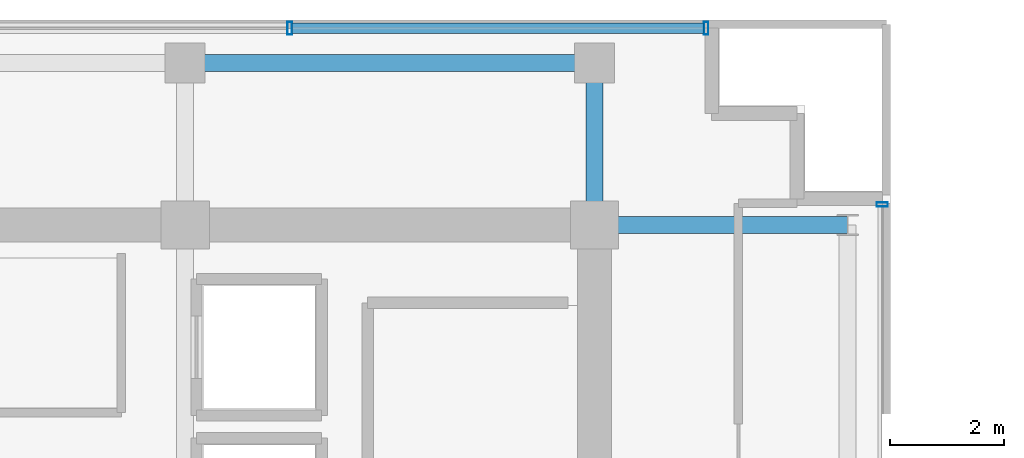
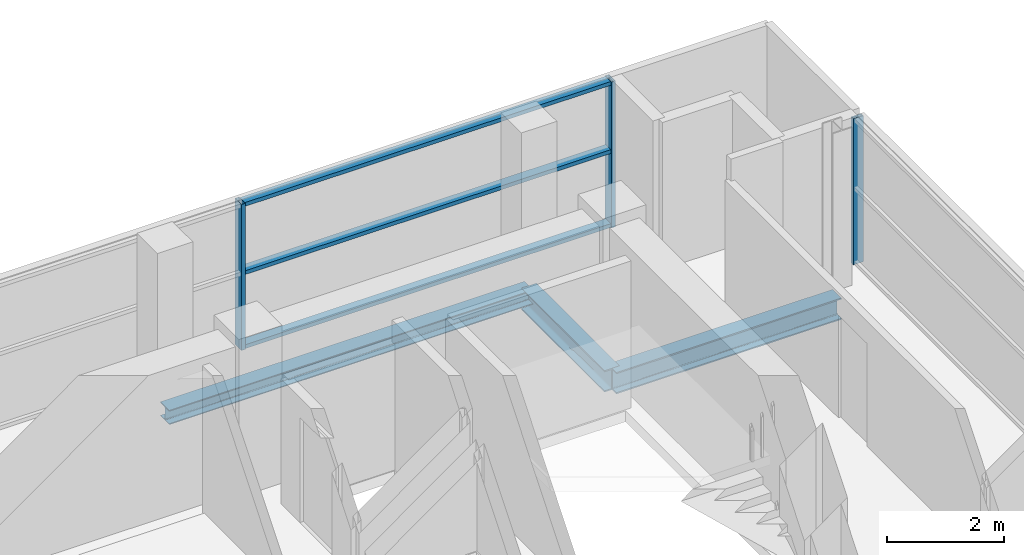
# One storey, part 14 of 23: 6 members, 3 beams, 2 elements without a shape of their own.
"""IFC4 building model written with IfcOpenShell, lengths in metres."""

from ifc_helpers import new_model, si_unit, direction, frame, origin, origin_2d, place, context, subcontext, project, spatial, hollow_rectangle, i_section, extrude, source, transform, mapped, material, layer, layer_set, material_profile, profile_set, type_object, element, aggregate, save


model = new_model("IFC4")

# Units and contexts
model_context = context("Model", 3, precision=1e-05, world=origin(), true_north=direction((0.0, 1.0)))
body_context = subcontext(model_context, "Body", "Model", "MODEL_VIEW")
ifc_project = project(units=[si_unit("LENGTHUNIT", "METRE"), si_unit("AREAUNIT", "SQUARE_METRE"), si_unit("VOLUMEUNIT", "CUBIC_METRE"), si_unit("PLANEANGLEUNIT", "RADIAN"), si_unit("MASSUNIT", "GRAM", prefix="KILO")], contexts=[model_context])

# Site, building, storey
site_placement = place(None, origin())
site = spatial("IfcSite", under=ifc_project, at=site_placement, CompositionType="ELEMENT")
building_placement = place(site_placement, origin())
building = spatial("IfcBuilding", under=site, at=building_placement, Name="Zarnakvel Exchange Tower", CompositionType="ELEMENT")
storey_placement = place(building_placement, frame((0.0, 0.0, 218.800048828125)))
storey = spatial("IfcBuildingStorey", under=building, at=storey_placement, Name="L61", CompositionType="ELEMENT", Elevation=218.800048828125)

# Beams
ifc_material_1 = material(Name="Steel S355", Category="steel")
ifc_material_profile_1 = material_profile(ifc_material_1, i_section(OverallWidth=0.300048828125, OverallDepth=0.449951171875, WebThickness=0.013916015625, FlangeThickness=0.02587890625, FilletRadius=0.027099609375, at=origin_2d()))
ifc_profile_set_1 = profile_set([ifc_material_profile_1], Name="Steel S355")
beam_type_1 = type_object("IfcBeamType", Name="G-07", PredefinedType="BEAM", material=ifc_profile_set_1)
beam_1_placement = place(storey_placement, frame((14.39990234375, 13.5, -0.449951171875), z_axis=(1.0, 0.0, 0.0), x_axis=(0.0, 1.0, 0.0)))
element("IfcBeam", 1, at=beam_1_placement, inside=storey, type_object=beam_type_1, Name="L61 Tower E-W Frame Beam", PredefinedType="BEAM", context=body_context, shape_type="SweptSolid", body=[
    extrude(i_section(OverallWidth=0.300048828125, OverallDepth=0.449951171875, WebThickness=0.013916015625, FlangeThickness=0.02587890625, FilletRadius=0.027099609375, at=origin_2d()), origin(), (0.0, 0.0, 1.0), 4.4501953125),
])
beam_2_placement = place(storey_placement, frame((14.39990234375, 13.5, -0.449951171875), z_axis=(0.0, 1.0, 0.0), x_axis=(-1.0, 0.0, 0.0)))
element("IfcBeam", 2, at=beam_2_placement, inside=storey, type_object=beam_type_1, Name="L61 Tower N-S Frame Beam", PredefinedType="BEAM", context=body_context, shape_type="SweptSolid", body=[
    extrude(i_section(OverallWidth=0.300048828125, OverallDepth=0.449951171875, WebThickness=0.013916015625, FlangeThickness=0.02587890625, FilletRadius=0.027099609375, at=origin_2d()), origin(), (0.0, 0.0, 1.0), 2.85009765625),
])
ifc_material_profile_2 = material_profile(ifc_material_1, i_section(OverallWidth=0.300048828125, OverallDepth=0.300048828125, WebThickness=0.010986328125, FlangeThickness=0.01904296875, FilletRadius=0.027099609375, at=origin_2d()))
ifc_profile_set_2 = profile_set([ifc_material_profile_2], Name="Steel S355")
beam_type_2 = type_object("IfcBeamType", Name="SP-03", PredefinedType="SPANDREL", material=ifc_profile_set_2)
beam_3_placement = place(storey_placement, frame((7.199951171875, 16.35009765625, -0.375), z_axis=(1.0, 0.0, 0.0), x_axis=(0.0, 1.0, 0.0)))
element("IfcBeam", 3, at=beam_3_placement, inside=storey, type_object=beam_type_2, Name="L61 Tower E-W Frame Beam", PredefinedType="SPANDREL", context=body_context, shape_type="SweptSolid", body=[
    extrude(i_section(OverallWidth=0.300048828125, OverallDepth=0.300048828125, WebThickness=0.010986328125, FlangeThickness=0.01904296875, FilletRadius=0.027099609375, at=origin_2d()), origin(), (0.0, 0.0, 1.0), 7.199951171875),
])

# Curtain wall, member
ifc_material_2 = material(Name="Architectural Bronze Anodised Aluminium", Category="aluminium")
ifc_layer_1 = layer(ifc_material_2, 0.199951171875)
ifc_layer_set_1 = layer_set([ifc_layer_1], Name="Architectural Bronze Anodised Aluminium")
curtain_wall_type_1 = type_object("IfcCurtainWallType", Name="CW-04", PredefinedType="NOTDEFINED", material=ifc_layer_set_1)
curtain_wall_1_placement = place(storey_placement, origin())
curtain_wall_1 = element("IfcCurtainWall", 4, at=curtain_wall_1_placement, inside=storey, type_object=curtain_wall_type_1, Name="L61 Curtain Wall CW-L61-EN (CW-04)", PredefinedType="NOTDEFINED")
ifc_material_profile_3 = material_profile(ifc_material_2, hollow_rectangle(XDim=0.199951171875, YDim=0.074951171875, WallThickness=0.0048828125, at=origin_2d()))
ifc_profile_set_3 = profile_set([ifc_material_profile_3], Name="Architectural Bronze Anodised Aluminium")
member_type_1 = type_object("IfcMemberType", Name="CWM-04", PredefinedType="MULLION", material=ifc_profile_set_3)
shared_shape_1 = source(origin(), body_context, "Body", "SweptSolid", [
    extrude(hollow_rectangle(XDim=0.199951171875, YDim=0.074951171875, WallThickness=0.0048828125, at=origin_2d()), origin(), (0.0, 0.0, 1.0), 3.054931640625),
])
member_1_placement = place(storey_placement, frame((19.4599609375, 13.862548828125, 0.0), z_axis=(0.0, 0.0, 1.0), x_axis=(-1.0, 0.0, 0.0)))
member_1 = element("IfcMember", 5, at=member_1_placement, type_object=member_type_1, Name="CW-04 mullion 3", PredefinedType="MULLION", context=body_context, shape_type="MappedRepresentation", body=[
    mapped(shared_shape_1, transform((0.0, 0.0, 0.0), x_axis=(1.0, 0.0, 0.0), y_axis=(0.0, 1.0, 0.0), z_axis=(0.0, 0.0, 1.0), scale=1.0)),
])
aggregate(curtain_wall_1, [member_1])

# Curtain wall, members
ifc_layer_2 = layer(ifc_material_2, 0.219970703125)
ifc_layer_set_2 = layer_set([ifc_layer_2], Name="Architectural Bronze Anodised Aluminium")
curtain_wall_type_2 = type_object("IfcCurtainWallType", Name="CW-03", PredefinedType="NOTDEFINED", material=ifc_layer_set_2)
curtain_wall_2_placement = place(storey_placement, origin())
curtain_wall_2 = element("IfcCurtainWall", 6, at=curtain_wall_2_placement, inside=storey, type_object=curtain_wall_type_2, Name="L61 Curtain Wall CW-L61-N1 (CW-03)", PredefinedType="NOTDEFINED")
ifc_material_profile_4 = material_profile(ifc_material_2, hollow_rectangle(XDim=0.219970703125, YDim=0.080078125, WallThickness=0.0048828125, at=origin_2d()))
ifc_profile_set_4 = profile_set([ifc_material_profile_4], Name="Architectural Bronze Anodised Aluminium")
member_type_2 = type_object("IfcMemberType", Name="CWM-03", PredefinedType="MULLION", material=ifc_profile_set_4)
shared_shape_2 = source(origin(), body_context, "Body", "SweptSolid", [
    extrude(hollow_rectangle(XDim=0.219970703125, YDim=0.080078125, WallThickness=0.0048828125, at=origin_2d()), origin(), (0.0, 0.0, 1.0), 3.054931640625),
])
member_2_placement = place(storey_placement, frame((9.0400390625, 16.9599609375, 0.0), z_axis=(0.0, 0.0, 1.0), x_axis=(0.0, 1.0, 0.0)))
member_2 = element("IfcMember", 7, at=member_2_placement, type_object=member_type_2, Name="CW-03 mullion 5", PredefinedType="MULLION", context=body_context, shape_type="MappedRepresentation", body=[
    mapped(shared_shape_2, transform((0.0, 0.0, 0.0), x_axis=(1.0, 0.0, 0.0), y_axis=(0.0, 1.0, 0.0), z_axis=(0.0, 0.0, 1.0), scale=1.0)),
])
member_3_placement = place(storey_placement, frame((16.360107421875, 16.9599609375, 0.0), z_axis=(0.0, 0.0, 1.0), x_axis=(0.0, 1.0, 0.0)))
member_3 = element("IfcMember", 8, at=member_3_placement, type_object=member_type_2, Name="CW-03 mullion 6", PredefinedType="MULLION", context=body_context, shape_type="MappedRepresentation", body=[
    mapped(shared_shape_2, transform((0.0, 0.0, 0.0), x_axis=(1.0, 0.0, 0.0), y_axis=(0.0, 1.0, 0.0), z_axis=(0.0, 0.0, 1.0), scale=1.0)),
])
ifc_material_profile_5 = material_profile(ifc_material_2, hollow_rectangle(XDim=0.179931640625, YDim=0.080078125, WallThickness=0.00390625, at=origin_2d()))
ifc_profile_set_5 = profile_set([ifc_material_profile_5], Name="Architectural Bronze Anodised Aluminium")
member_type_3 = type_object("IfcMemberType", Name="CWT-03", PredefinedType="USERDEFINED", material=ifc_profile_set_5)
shared_shape_3 = source(origin(), body_context, "Body", "SweptSolid", [
    extrude(hollow_rectangle(XDim=0.179931640625, YDim=0.080078125, WallThickness=0.00390625, at=origin_2d()), origin(), (0.0, 0.0, 1.0), 7.239990234375),
])
member_4_placement = place(storey_placement, frame((9.080078125, 16.9599609375, 0.0400390625), z_axis=(1.0, 0.0, 0.0), x_axis=(0.0, 1.0, 0.0)))
member_4 = element("IfcMember", 9, at=member_4_placement, type_object=member_type_3, Name="CW-03 transom 5.1", ObjectType="TRANSOM", PredefinedType="USERDEFINED", context=body_context, shape_type="MappedRepresentation", body=[
    mapped(shared_shape_3, transform((0.0, 0.0, 0.0), x_axis=(1.0, 0.0, 0.0), y_axis=(0.0, 1.0, 0.0), z_axis=(0.0, 0.0, 1.0), scale=1.0)),
])
member_5_placement = place(storey_placement, frame((9.080078125, 16.9599609375, 1.588623046875), z_axis=(1.0, 0.0, 0.0), x_axis=(0.0, 1.0, 0.0)))
member_5 = element("IfcMember", 10, at=member_5_placement, type_object=member_type_3, Name="CW-03 transom 5.2", ObjectType="TRANSOM", PredefinedType="USERDEFINED", context=body_context, shape_type="MappedRepresentation", body=[
    mapped(shared_shape_3, transform((0.0, 0.0, 0.0), x_axis=(1.0, 0.0, 0.0), y_axis=(0.0, 1.0, 0.0), z_axis=(0.0, 0.0, 1.0), scale=1.0)),
])
member_6_placement = place(storey_placement, frame((9.080078125, 16.9599609375, 3.014892578125), z_axis=(1.0, 0.0, 0.0), x_axis=(0.0, 1.0, 0.0)))
member_6 = element("IfcMember", 11, at=member_6_placement, type_object=member_type_3, Name="CW-03 transom 5.3", ObjectType="TRANSOM", PredefinedType="USERDEFINED", context=body_context, shape_type="MappedRepresentation", body=[
    mapped(shared_shape_3, transform((0.0, 0.0, 0.0), x_axis=(1.0, 0.0, 0.0), y_axis=(0.0, 1.0, 0.0), z_axis=(0.0, 0.0, 1.0), scale=1.0)),
])
aggregate(curtain_wall_2, [member_2, member_3, member_4, member_5, member_6])

save(model, "model.ifc")
